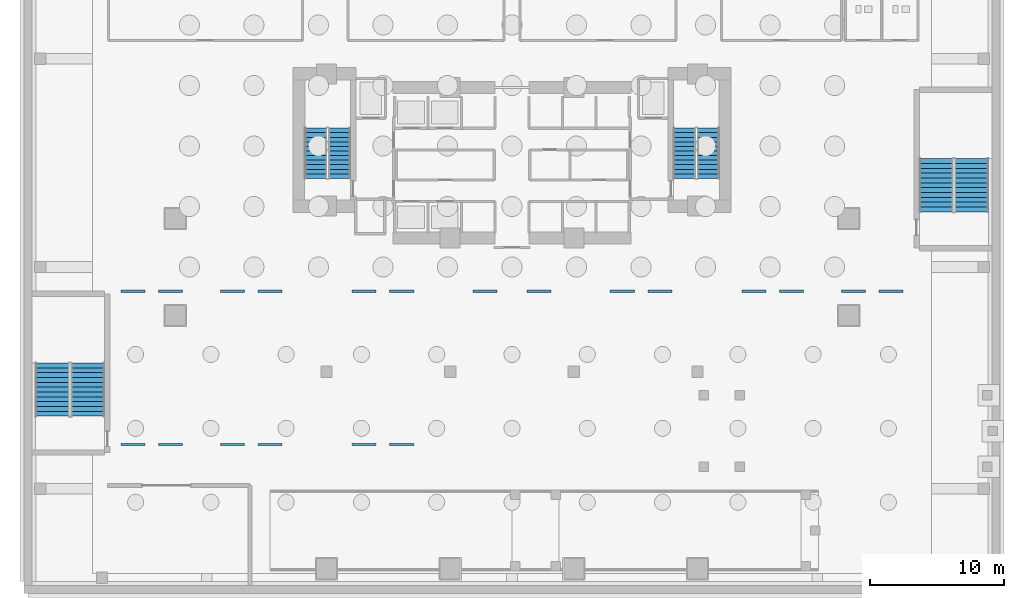
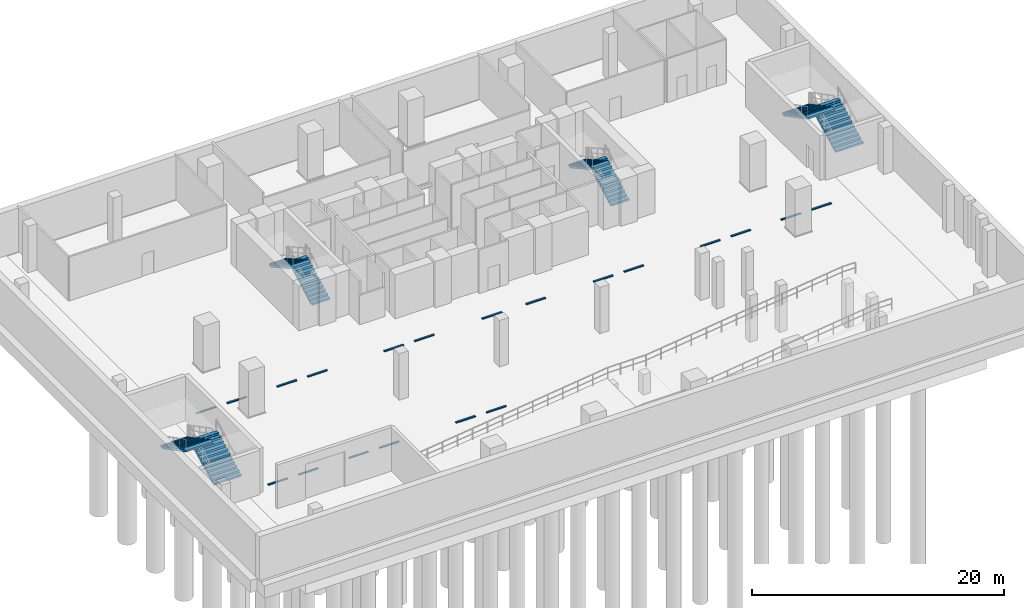
# One storey, part 7 of 13: 20 discrete accessories, 8 stair flights, 4 elements without a shape of their own.
"""IFC4 building model written with IfcOpenShell, lengths in metres."""

from ifc_helpers import new_model, si_unit, direction, frame, origin, origin_2d, place, context, subcontext, project, spatial, polyline, rectangle, outline, extrude, material, layer, layer_set, type_object, element, aggregate, save


model = new_model("IFC4")

# Units and contexts
model_context = context("Model", 3, precision=1e-05, world=origin(), true_north=direction((0.0, 1.0)))
body_context = subcontext(model_context, "Body", "Model", "MODEL_VIEW")
ifc_project = project(units=[si_unit("LENGTHUNIT", "METRE"), si_unit("AREAUNIT", "SQUARE_METRE"), si_unit("VOLUMEUNIT", "CUBIC_METRE"), si_unit("PLANEANGLEUNIT", "RADIAN"), si_unit("MASSUNIT", "GRAM", prefix="KILO")], contexts=[model_context])

# Site, building, storey
site_placement = place(None, origin())
site = spatial("IfcSite", under=ifc_project, at=site_placement, CompositionType="ELEMENT")
building_placement = place(site_placement, origin())
building = spatial("IfcBuilding", under=site, at=building_placement, Name="Zuhayl Quay Hotel", CompositionType="ELEMENT")
storey_placement = place(building_placement, frame((0.0, 0.0, -9.0)))
storey = spatial("IfcBuildingStorey", under=building, at=storey_placement, Name="B2", CompositionType="ELEMENT", Elevation=-9.0)

# Stair, stair flights
ifc_material_1 = material(Name="Concrete C45/55", Category="concrete")
stair_type_1 = type_object("IfcStairType", Name="ST_DOGLEG_PODIUM", PredefinedType="HALF_TURN_STAIR", material=ifc_material_1)
stair_1_placement = place(storey_placement, origin())
stair_1 = element("IfcStair", 1, at=stair_1_placement, inside=storey, type_object=stair_type_1, Name="B2 Smokeproof Exit Stair ST3", PredefinedType="HALF_TURN_STAIR")
ifc_layer_1 = layer(ifc_material_1, 0.159912109375, Name="Concrete C45/55", Category="concrete")
ifc_layer_set_1 = layer_set([ifc_layer_1], Name="Concrete C45/55")
stair_flight_type_1 = type_object("IfcStairFlightType", Name="SF_CONC_160", PredefinedType="STRAIGHT", material=ifc_layer_set_1)
stair_flight_1_placement = place(storey_placement, frame((-31.550048828125, -11.10009765625, 0.0), z_axis=(0.0, 0.0, 1.0), x_axis=(0.0, 1.0, 0.0)))
stair_flight_1 = element("IfcStairFlight", 2, at=stair_flight_1_placement, type_object=stair_flight_type_1, Name="ST3 flight 1", NumberOfRisers=12, NumberOfTreads=11, PredefinedType="STRAIGHT", RiserHeight=0.1875, TreadLength=0.36, context=body_context, shape_type="SweptSolid", body=[
    extrude(outline(polyline([(0.0, 0.0), (0.0, 0.1875), (0.360107421875, 0.1875), (0.360107421875, 0.375), (0.719970703125, 0.375), (0.719970703125, 0.5625), (1.080078125, 0.5625), (1.080078125, 0.75), (1.43994140625, 0.75), (1.43994140625, 0.9375), (1.800048828125, 0.9375), (1.800048828125, 1.125), (2.159912109375, 1.125), (2.159912109375, 1.3125), (2.52001953125, 1.3125), (2.52001953125, 1.5), (2.8798828125, 1.5), (2.8798828125, 1.6875), (3.239990234375, 1.6875), (3.239990234375, 1.875), (3.60009765625, 1.875), (3.60009765625, 2.0625), (3.9599609375, 2.0625), (3.9599609375, 2.25), (3.9599609375, 1.8935546875), (0.324462890625, 0.0), (0.0, 0.0)])), frame((0.0, 1.25, 0.0), z_axis=(0.0, -1.0, 0.0), x_axis=(1.0, 0.0, 0.0)), (0.0, 0.0, 1.0), 2.5),
])
stair_flight_2_placement = place(storey_placement, frame((-34.199951171875, -7.139892578125, 2.25), z_axis=(0.0, 0.0, 1.0), x_axis=(0.0, -1.0, 0.0)))
stair_flight_2 = element("IfcStairFlight", 3, at=stair_flight_2_placement, type_object=stair_flight_type_1, Name="ST3 flight 2", NumberOfRisers=12, NumberOfTreads=11, PredefinedType="STRAIGHT", RiserHeight=0.1875, TreadLength=0.36, context=body_context, shape_type="SweptSolid", body=[
    extrude(outline(polyline([(0.0, 0.0), (0.0, 0.1875), (0.360107421875, 0.1875), (0.360107421875, 0.375), (0.719970703125, 0.375), (0.719970703125, 0.5625), (1.080078125, 0.5625), (1.080078125, 0.75), (1.43994140625, 0.75), (1.43994140625, 0.9375), (1.800048828125, 0.9375), (1.800048828125, 1.125), (2.159912109375, 1.125), (2.159912109375, 1.3125), (2.52001953125, 1.3125), (2.52001953125, 1.5), (2.8798828125, 1.5), (2.8798828125, 1.6875), (3.239990234375, 1.6875), (3.239990234375, 1.875), (3.60009765625, 1.875), (3.60009765625, 2.0625), (3.9599609375, 2.0625), (3.9599609375, 2.25), (3.9599609375, 1.8935546875), (0.324462890625, 0.0), (0.0, 0.0)])), frame((0.0, 1.25, 0.0), z_axis=(0.0, -1.0, 0.0), x_axis=(1.0, 0.0, 0.0)), (0.0, 0.0, 1.0), 2.5),
])
aggregate(stair_1, [stair_flight_1, stair_flight_2])

stair_2_placement = place(storey_placement, origin())
stair_2 = element("IfcStair", 4, at=stair_2_placement, inside=storey, type_object=stair_type_1, Name="B2 Smokeproof Exit Stair ST4", PredefinedType="HALF_TURN_STAIR")
stair_flight_3_placement = place(storey_placement, frame((34.199951171875, 4.10009765625, 0.0), z_axis=(0.0, 0.0, 1.0), x_axis=(0.0, 1.0, 0.0)))
stair_flight_3 = element("IfcStairFlight", 5, at=stair_flight_3_placement, type_object=stair_flight_type_1, Name="ST4 flight 1", NumberOfRisers=12, NumberOfTreads=11, PredefinedType="STRAIGHT", RiserHeight=0.1875, TreadLength=0.36, context=body_context, shape_type="SweptSolid", body=[
    extrude(outline(polyline([(0.0, 0.0), (0.0, 0.1875), (0.360107421875, 0.1875), (0.360107421875, 0.375), (0.719970703125, 0.375), (0.719970703125, 0.5625), (1.080078125, 0.5625), (1.080078125, 0.75), (1.43994140625, 0.75), (1.43994140625, 0.9375), (1.800048828125, 0.9375), (1.800048828125, 1.125), (2.159912109375, 1.125), (2.159912109375, 1.3125), (2.52001953125, 1.3125), (2.52001953125, 1.5), (2.8798828125, 1.5), (2.8798828125, 1.6875), (3.239990234375, 1.6875), (3.239990234375, 1.875), (3.60009765625, 1.875), (3.60009765625, 2.0625), (3.9599609375, 2.0625), (3.9599609375, 2.25), (3.9599609375, 1.8935546875), (0.324462890625, 0.0), (0.0, 0.0)])), frame((0.0, 1.25, 0.0), z_axis=(0.0, -1.0, 0.0), x_axis=(1.0, 0.0, 0.0)), (0.0, 0.0, 1.0), 2.5),
])
stair_flight_4_placement = place(storey_placement, frame((31.550048828125, 8.06005859375, 2.25), z_axis=(0.0, 0.0, 1.0), x_axis=(0.0, -1.0, 0.0)))
stair_flight_4 = element("IfcStairFlight", 6, at=stair_flight_4_placement, type_object=stair_flight_type_1, Name="ST4 flight 2", NumberOfRisers=12, NumberOfTreads=11, PredefinedType="STRAIGHT", RiserHeight=0.1875, TreadLength=0.36, context=body_context, shape_type="SweptSolid", body=[
    extrude(outline(polyline([(0.0, 0.0), (0.0, 0.1875), (0.360107421875, 0.1875), (0.360107421875, 0.375), (0.719970703125, 0.375), (0.719970703125, 0.5625), (1.080078125, 0.5625), (1.080078125, 0.75), (1.43994140625, 0.75), (1.43994140625, 0.9375), (1.800048828125, 0.9375), (1.800048828125, 1.125), (2.159912109375, 1.125), (2.159912109375, 1.3125), (2.52001953125, 1.3125), (2.52001953125, 1.5), (2.8798828125, 1.5), (2.8798828125, 1.6875), (3.239990234375, 1.6875), (3.239990234375, 1.875), (3.60009765625, 1.875), (3.60009765625, 2.0625), (3.9599609375, 2.0625), (3.9599609375, 2.25), (3.9599609375, 1.8935546875), (0.324462890625, 0.0), (0.0, 0.0)])), frame((0.0, 1.25, 0.0), z_axis=(0.0, -1.0, 0.0), x_axis=(1.0, 0.0, 0.0)), (0.0, 0.0, 1.0), 2.5),
])
aggregate(stair_2, [stair_flight_3, stair_flight_4])

stair_type_2 = type_object("IfcStairType", Name="ST_DOGLEG_TOWER", PredefinedType="HALF_TURN_STAIR", material=ifc_material_1)
stair_3_placement = place(storey_placement, origin())
stair_3 = element("IfcStair", 7, at=stair_3_placement, inside=storey, type_object=stair_type_2, Name="B2 Smokeproof Exit Stair ST1", PredefinedType="HALF_TURN_STAIR")
ifc_layer_2 = layer(ifc_material_1, 0.159912109375, Name="Concrete C45/55", Category="concrete")
ifc_layer_set_2 = layer_set([ifc_layer_2], Name="Concrete C45/55")
stair_flight_type_2 = type_object("IfcStairFlightType", Name="SF_CONC_164", PredefinedType="STRAIGHT", material=ifc_layer_set_2)
stair_flight_5_placement = place(storey_placement, frame((-12.820068359375, 6.590087890625, 0.0), z_axis=(0.0, 0.0, 1.0), x_axis=(0.0, 1.0, 0.0)))
stair_flight_5 = element("IfcStairFlight", 8, at=stair_flight_5_placement, type_object=stair_flight_type_2, Name="ST1 flight 1", NumberOfRisers=12, NumberOfTreads=11, PredefinedType="STRAIGHT", RiserHeight=0.1875, TreadLength=0.34, context=body_context, shape_type="SweptSolid", body=[
    extrude(outline(polyline([(0.0, 0.0), (0.0, 0.1875), (0.340087890625, 0.1875), (0.340087890625, 0.375), (0.679931640625, 0.375), (0.679931640625, 0.5625), (1.02001953125, 0.5625), (1.02001953125, 0.75), (1.360107421875, 0.75), (1.360107421875, 0.9375), (1.699951171875, 0.9375), (1.699951171875, 1.125), (2.0400390625, 1.125), (2.0400390625, 1.3125), (2.3798828125, 1.3125), (2.3798828125, 1.5), (2.719970703125, 1.5), (2.719970703125, 1.6875), (3.06005859375, 1.6875), (3.06005859375, 1.875), (3.39990234375, 1.875), (3.39990234375, 2.0625), (3.739990234375, 2.0625), (3.739990234375, 2.25), (3.739990234375, 1.891357421875), (0.310302734375, 0.0), (0.0, 0.0)])), frame((0.0, 0.81982421875, 0.0), z_axis=(0.0, -1.0, 0.0), x_axis=(1.0, 0.0, 0.0)), (0.0, 0.0, 1.0), 1.639892578125),
])
stair_flight_6_placement = place(storey_placement, frame((-14.610107421875, 10.330078125, 2.25), z_axis=(0.0, 0.0, 1.0), x_axis=(0.0, -1.0, 0.0)))
stair_flight_6 = element("IfcStairFlight", 9, at=stair_flight_6_placement, type_object=stair_flight_type_2, Name="ST1 flight 2", NumberOfRisers=12, NumberOfTreads=11, PredefinedType="STRAIGHT", RiserHeight=0.1875, TreadLength=0.34, context=body_context, shape_type="SweptSolid", body=[
    extrude(outline(polyline([(0.0, 0.0), (0.0, 0.1875), (0.340087890625, 0.1875), (0.340087890625, 0.375), (0.679931640625, 0.375), (0.679931640625, 0.5625), (1.02001953125, 0.5625), (1.02001953125, 0.75), (1.360107421875, 0.75), (1.360107421875, 0.9375), (1.699951171875, 0.9375), (1.699951171875, 1.125), (2.0400390625, 1.125), (2.0400390625, 1.3125), (2.3798828125, 1.3125), (2.3798828125, 1.5), (2.719970703125, 1.5), (2.719970703125, 1.6875), (3.06005859375, 1.6875), (3.06005859375, 1.875), (3.39990234375, 1.875), (3.39990234375, 2.0625), (3.739990234375, 2.0625), (3.739990234375, 2.25), (3.739990234375, 1.891357421875), (0.310302734375, 0.0), (0.0, 0.0)])), frame((0.0, 0.81982421875, 0.0), z_axis=(0.0, -1.0, 0.0), x_axis=(1.0, 0.0, 0.0)), (0.0, 0.0, 1.0), 1.639892578125),
])
aggregate(stair_3, [stair_flight_5, stair_flight_6])

stair_4_placement = place(storey_placement, origin())
stair_4 = element("IfcStair", 10, at=stair_4_placement, inside=storey, type_object=stair_type_2, Name="B2 Smokeproof Exit Stair ST2", PredefinedType="HALF_TURN_STAIR")
stair_flight_7_placement = place(storey_placement, frame((14.610107421875, 6.590087890625, 0.0), z_axis=(0.0, 0.0, 1.0), x_axis=(0.0, 1.0, 0.0)))
stair_flight_7 = element("IfcStairFlight", 11, at=stair_flight_7_placement, type_object=stair_flight_type_2, Name="ST2 flight 1", NumberOfRisers=12, NumberOfTreads=11, PredefinedType="STRAIGHT", RiserHeight=0.1875, TreadLength=0.34, context=body_context, shape_type="SweptSolid", body=[
    extrude(outline(polyline([(0.0, 0.0), (0.0, 0.1875), (0.340087890625, 0.1875), (0.340087890625, 0.375), (0.679931640625, 0.375), (0.679931640625, 0.5625), (1.02001953125, 0.5625), (1.02001953125, 0.75), (1.360107421875, 0.75), (1.360107421875, 0.9375), (1.699951171875, 0.9375), (1.699951171875, 1.125), (2.0400390625, 1.125), (2.0400390625, 1.3125), (2.3798828125, 1.3125), (2.3798828125, 1.5), (2.719970703125, 1.5), (2.719970703125, 1.6875), (3.06005859375, 1.6875), (3.06005859375, 1.875), (3.39990234375, 1.875), (3.39990234375, 2.0625), (3.739990234375, 2.0625), (3.739990234375, 2.25), (3.739990234375, 1.891357421875), (0.310302734375, 0.0), (0.0, 0.0)])), frame((0.0, 0.81982421875, 0.0), z_axis=(0.0, -1.0, 0.0), x_axis=(1.0, 0.0, 0.0)), (0.0, 0.0, 1.0), 1.639892578125),
])
stair_flight_8_placement = place(storey_placement, frame((12.820068359375, 10.330078125, 2.25), z_axis=(0.0, 0.0, 1.0), x_axis=(0.0, -1.0, 0.0)))
stair_flight_8 = element("IfcStairFlight", 12, at=stair_flight_8_placement, type_object=stair_flight_type_2, Name="ST2 flight 2", NumberOfRisers=12, NumberOfTreads=11, PredefinedType="STRAIGHT", RiserHeight=0.1875, TreadLength=0.34, context=body_context, shape_type="SweptSolid", body=[
    extrude(outline(polyline([(0.0, 0.0), (0.0, 0.1875), (0.340087890625, 0.1875), (0.340087890625, 0.375), (0.679931640625, 0.375), (0.679931640625, 0.5625), (1.02001953125, 0.5625), (1.02001953125, 0.75), (1.360107421875, 0.75), (1.360107421875, 0.9375), (1.699951171875, 0.9375), (1.699951171875, 1.125), (2.0400390625, 1.125), (2.0400390625, 1.3125), (2.3798828125, 1.3125), (2.3798828125, 1.5), (2.719970703125, 1.5), (2.719970703125, 1.6875), (3.06005859375, 1.6875), (3.06005859375, 1.875), (3.39990234375, 1.875), (3.39990234375, 2.0625), (3.739990234375, 2.0625), (3.739990234375, 2.25), (3.739990234375, 1.891357421875), (0.310302734375, 0.0), (0.0, 0.0)])), frame((0.0, 0.81982421875, 0.0), z_axis=(0.0, -1.0, 0.0), x_axis=(1.0, 0.0, 0.0)), (0.0, 0.0, 1.0), 1.639892578125),
])
aggregate(stair_4, [stair_flight_7, stair_flight_8])

# Discrete accessories
ifc_material_2 = material(Name="Precast concrete C45/55", Category="concrete")
discrete_accessory_type = type_object("IfcDiscreteAccessoryType", Name="DA_WHEEL_STOP", PredefinedType="USERDEFINED", material=ifc_material_2)
for number, where, z_axis, x_axis, name in (
    (13, (-28.199951171875, -13.199951171875, 0.0), (0.0, 0.0, 1.0), (1.0, 0.0, 0.0), "Accessible Parking Bay Marking B2-A1"),
    (14, (-25.39990234375, -13.199951171875, 0.0), (0.0, 0.0, 1.0), (1.0, 0.0, 0.0), "Accessible Parking Bay Marking B2-A2"),
    (15, (-20.800048828125, -13.199951171875, 0.0), (0.0, 0.0, 1.0), (1.0, 0.0, 0.0), "Parking Bay Marking B2-03"),
    (16, (-18.0, -13.199951171875, 0.0), (0.0, 0.0, 1.0), (1.0, 0.0, 0.0), "Parking Bay Marking B2-04"),
    (17, (-11.0, -13.199951171875, 0.0), (0.0, 0.0, 1.0), (1.0, 0.0, 0.0), "Parking Bay Marking B2-05"),
    (18, (-8.199951171875, -13.199951171875, 0.0), (0.0, 0.0, 1.0), (1.0, 0.0, 0.0), "Parking Bay Marking B2-06"),
    (19, (-28.199951171875, -1.800048828125, 0.0), (0.0, 0.0, 1.0), (1.0, 0.0, 0.0), "Accessible Parking Bay Marking B2-A3"),
    (20, (-25.39990234375, -1.800048828125, 0.0), (0.0, 0.0, 1.0), (1.0, 0.0, 0.0), "Accessible Parking Bay Marking B2-A4"),
    (21, (-20.800048828125, -1.800048828125, 0.0), (0.0, 0.0, 1.0), (1.0, 0.0, 0.0), "Parking Bay Marking B2-09"),
    (22, (-18.0, -1.800048828125, 0.0), (0.0, 0.0, 1.0), (1.0, 0.0, 0.0), "Parking Bay Marking B2-10"),
    (23, (-11.0, -1.800048828125, 0.0), (0.0, 0.0, 1.0), (1.0, 0.0, 0.0), "Parking Bay Marking B2-11"),
    (24, (-8.199951171875, -1.800048828125, 0.0), (0.0, 0.0, 1.0), (1.0, 0.0, 0.0), "Parking Bay Marking B2-12"),
    (25, (-2.0, -1.800048828125, 0.0), (0.0, 0.0, 1.0), (1.0, 0.0, 0.0), "Parking Bay Marking B2-13"),
    (26, (2.0, -1.800048828125, 0.0), (0.0, 0.0, 1.0), (1.0, 0.0, 0.0), "Parking Bay Marking B2-14"),
    (27, (8.199951171875, -1.800048828125, 0.0), (0.0, 0.0, 1.0), (1.0, 0.0, 0.0), "Parking Bay Marking B2-15"),
    (28, (11.0, -1.800048828125, 0.0), (0.0, 0.0, 1.0), (1.0, 0.0, 0.0), "Parking Bay Marking B2-16"),
    (29, (18.0, -1.800048828125, 0.0), (0.0, 0.0, 1.0), (1.0, 0.0, 0.0), "Parking Bay Marking B2-17"),
    (30, (20.800048828125, -1.800048828125, 0.0), (0.0, 0.0, 1.0), (1.0, 0.0, 0.0), "Parking Bay Marking B2-18"),
    (31, (25.39990234375, -1.800048828125, 0.0), (0.0, 0.0, 1.0), (1.0, 0.0, 0.0), "Parking Bay Marking B2-19"),
    (32, (28.199951171875, -1.800048828125, 0.0), (0.0, 0.0, 1.0), (1.0, 0.0, 0.0), "Parking Bay Marking B2-20"),
):
    element("IfcDiscreteAccessory", number, at=place(storey_placement, frame(where, z_axis=z_axis, x_axis=x_axis)), inside=storey, type_object=discrete_accessory_type, Name=name, ObjectType="WHEEL STOP", PredefinedType="USERDEFINED", context=body_context, shape_type="SweptSolid", body=[
        extrude(rectangle(XDim=1.800048828125, YDim=0.159912109375, at=origin_2d()), origin(), (0.0, 0.0, 1.0), 0.10009765625),
    ])

save(model, "model.ifc")
